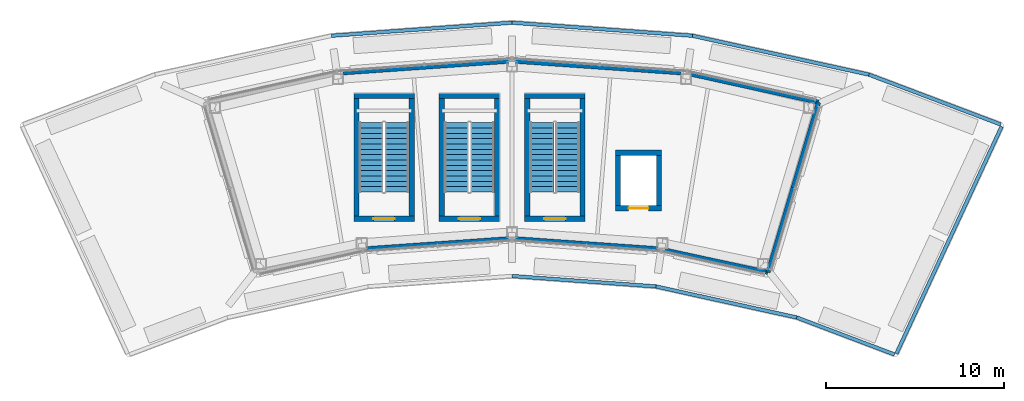
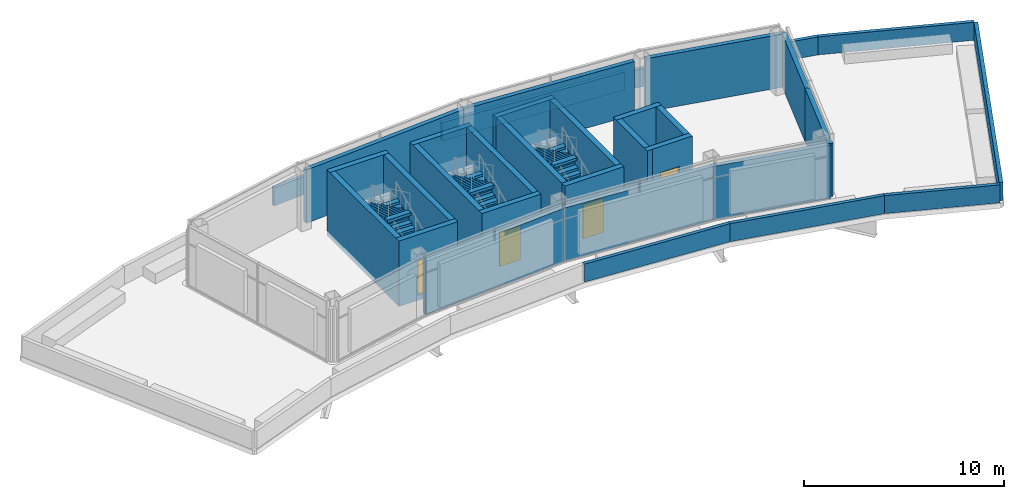
# One storey, part 5 of 7: 32 walls, 6 stair flights, 4 doors, 4 openings, 3 elements without a shape of their own.
"""IFC4 building model written with IfcOpenShell, lengths in metres."""

from ifc_helpers import new_model, si_unit, direction, frame, frame_2d, origin, place, context, subcontext, project, spatial, polyline, rectangle, outline, extrude, material, layer, layer_set, type_object, element, fill, aggregate, save


model = new_model("IFC4")

# Units and contexts
model_context = context("Model", 3, precision=1e-05, world=origin(), true_north=direction((0.0, 1.0)))
body_context = subcontext(model_context, "Body", "Model", "MODEL_VIEW")
ifc_project = project(units=[si_unit("LENGTHUNIT", "METRE"), si_unit("AREAUNIT", "SQUARE_METRE"), si_unit("VOLUMEUNIT", "CUBIC_METRE"), si_unit("PLANEANGLEUNIT", "RADIAN"), si_unit("MASSUNIT", "GRAM", prefix="KILO")], contexts=[model_context])

# Site, building, storey
site_placement = place(None, origin())
site = spatial("IfcSite", under=ifc_project, at=site_placement, CompositionType="ELEMENT")
building_placement = place(site_placement, origin())
building = spatial("IfcBuilding", under=site, at=building_placement, Name="Tuul Gate Civic Tower", CompositionType="ELEMENT")
storey_placement = place(building_placement, frame((0.0, 0.0, 376.10009765625)))
storey = spatial("IfcBuildingStorey", under=building, at=storey_placement, Name="Crown tier 3 lower", CompositionType="ELEMENT", Elevation=376.10009765625)

# Walls
ifc_material_1 = material(Name="Concrete C50/60", Category="concrete")
ifc_layer_1 = layer(ifc_material_1, 0.300048828125)
ifc_layer_set_1 = layer_set([ifc_layer_1], Name="Concrete C50/60")
wall_type_1 = type_object("IfcWallType", Name="Core wall C50/60", PredefinedType="SHEAR", material=ifc_layer_set_1)
for number, where, z_axis, x_axis, name in (
    (1, (-3.449951171875, -0.89990234375, -0.300048828125), (0.0, 0.0, 1.0), (0.0, 1.0, 0.0), "Core wall"),
    (2, (-6.550048828125, 6.300048828125, -0.300048828125), (0.0, 0.0, 1.0), (0.0, -1.0, 0.0), "Core wall"),
):
    element("IfcWall", number, at=place(storey_placement, frame(where, z_axis=z_axis, x_axis=x_axis)), inside=storey, type_object=wall_type_1, Name=name, PredefinedType="SHEAR", context=body_context, shape_type="SweptSolid", body=[
        extrude(rectangle(XDim=7.199951171875, YDim=0.300048828125, at=frame_2d((3.60009765625, 0.0))), origin(), (0.0, 0.0, 1.0), 4.0),
    ])
wall_1_placement = place(storey_placement, frame((-3.300048828125, 6.14990234375, -0.300048828125), z_axis=(0.0, 0.0, 1.0), x_axis=(-1.0, 0.0, 0.0)))
element("IfcWall", 3, at=wall_1_placement, inside=storey, type_object=wall_type_1, Name="Core wall", PredefinedType="SHEAR", context=body_context, shape_type="SweptSolid", body=[
    extrude(rectangle(XDim=3.39990234375, YDim=0.300048828125, at=frame_2d((1.699951171875, 0.0))), origin(), (0.0, 0.0, 1.0), 4.0),
])

# Wall, opening, door
wall_2_placement = place(storey_placement, frame((-3.300048828125, -0.75, -0.300048828125), z_axis=(0.0, 0.0, 1.0), x_axis=(-1.0, 0.0, 0.0)))
wall_2 = element("IfcWall", 4, at=wall_2_placement, inside=storey, type_object=wall_type_1, Name="Core wall", PredefinedType="SHEAR", context=body_context, shape_type="SweptSolid", body=[
    extrude(rectangle(XDim=3.39990234375, YDim=0.300048828125, at=frame_2d((1.699951171875, 0.0))), origin(), (0.0, 0.0, 1.0), 4.0),
])
opening_1_placement = place(wall_2_placement, frame((1.10009765625, 0.0, 0.300048828125)))
opening_1 = element("IfcOpeningElement", 5, at=opening_1_placement, cuts=wall_2, Name="Opening SD-ST-5", PredefinedType="OPENING", context=body_context, shape_type="SweptSolid", body=[
    extrude(rectangle(XDim=1.199951171875, YDim=2.10009765625, at=frame_2d((0.60009765625, 1.050048828125))), frame((0.0, 0.16015625, 0.0), z_axis=(0.0, -1.0, 0.0), x_axis=(1.0, 0.0, 0.0)), (0.0, 0.0, 1.0), 0.320068359375),
])
ifc_material_2 = material(Name="Steel", Category="steel")
door_type_1 = type_object("IfcDoorType", Name="Stair door", OperationType="NOTDEFINED", PredefinedType="DOOR", material=ifc_material_2)
door_1_placement = place(opening_1_placement, origin())
door_1 = element("IfcDoor", 6, at=door_1_placement, inside=storey, type_object=door_type_1, Name="Stair door ST-5", OperationType="SINGLE_SWING_LEFT", OverallHeight=2.10009765625, OverallWidth=1.199951171875, PredefinedType="DOOR", context=body_context, shape_type="SweptSolid", body=[
    extrude(rectangle(XDim=1.199951171875, YDim=2.10009765625, at=frame_2d((0.60009765625, 1.050048828125))), frame((0.0, 0.02490234375, 0.0), z_axis=(0.0, -1.0, 0.0), x_axis=(1.0, 0.0, 0.0)), (0.0, 0.0, 1.0), 0.050048828125),
])
fill(opening_1, door_1)

# Walls
for number, where, z_axis, x_axis, name in (
    (7, (1.35009765625, -0.89990234375, -0.300048828125), (0.0, 0.0, 1.0), (0.0, 1.0, 0.0), "Core wall"),
    (8, (-1.75, 6.300048828125, -0.300048828125), (0.0, 0.0, 1.0), (0.0, -1.0, 0.0), "Core wall"),
):
    element("IfcWall", number, at=place(storey_placement, frame(where, z_axis=z_axis, x_axis=x_axis)), inside=storey, type_object=wall_type_1, Name=name, PredefinedType="SHEAR", context=body_context, shape_type="SweptSolid", body=[
        extrude(rectangle(XDim=7.199951171875, YDim=0.300048828125, at=frame_2d((3.60009765625, 0.0))), origin(), (0.0, 0.0, 1.0), 4.0),
    ])
wall_3_placement = place(storey_placement, frame((1.5, 6.14990234375, -0.300048828125), z_axis=(0.0, 0.0, 1.0), x_axis=(-1.0, 0.0, 0.0)))
element("IfcWall", 9, at=wall_3_placement, inside=storey, type_object=wall_type_1, Name="Core wall", PredefinedType="SHEAR", context=body_context, shape_type="SweptSolid", body=[
    extrude(rectangle(XDim=3.39990234375, YDim=0.300048828125, at=frame_2d((1.699951171875, 0.0))), origin(), (0.0, 0.0, 1.0), 4.0),
])

# Wall, opening, door
wall_4_placement = place(storey_placement, frame((1.5, -0.75, -0.300048828125), z_axis=(0.0, 0.0, 1.0), x_axis=(-1.0, 0.0, 0.0)))
wall_4 = element("IfcWall", 10, at=wall_4_placement, inside=storey, type_object=wall_type_1, Name="Core wall", PredefinedType="SHEAR", context=body_context, shape_type="SweptSolid", body=[
    extrude(rectangle(XDim=3.39990234375, YDim=0.300048828125, at=frame_2d((1.699951171875, 0.0))), origin(), (0.0, 0.0, 1.0), 4.0),
])
opening_2_placement = place(wall_4_placement, frame((1.10009765625, 0.0, 0.300048828125)))
opening_2 = element("IfcOpeningElement", 11, at=opening_2_placement, cuts=wall_4, Name="Opening SD-ST-6", PredefinedType="OPENING", context=body_context, shape_type="SweptSolid", body=[
    extrude(rectangle(XDim=1.199951171875, YDim=2.10009765625, at=frame_2d((0.60009765625, 1.050048828125))), frame((0.0, 0.16015625, 0.0), z_axis=(0.0, -1.0, 0.0), x_axis=(1.0, 0.0, 0.0)), (0.0, 0.0, 1.0), 0.320068359375),
])
door_2_placement = place(opening_2_placement, frame((1.199951171875, 0.0, 0.0), z_axis=(0.0, 0.0, 1.0), x_axis=(-1.0, 0.0, 0.0)))
door_2 = element("IfcDoor", 12, at=door_2_placement, inside=storey, type_object=door_type_1, Name="Stair door ST-6", OperationType="SINGLE_SWING_RIGHT", OverallHeight=2.10009765625, OverallWidth=1.199951171875, PredefinedType="DOOR", context=body_context, shape_type="SweptSolid", body=[
    extrude(rectangle(XDim=1.199951171875, YDim=2.10009765625, at=frame_2d((0.599853515625, 1.050048828125))), frame((0.0, 0.02490234375, 0.0), z_axis=(0.0, -1.0, 0.0), x_axis=(1.0, 0.0, 0.0)), (0.0, 0.0, 1.0), 0.050048828125),
])
fill(opening_2, door_2)

# Walls
for number, where, z_axis, x_axis, name in (
    (13, (6.14990234375, -0.89990234375, -0.300048828125), (0.0, 0.0, 1.0), (0.0, 1.0, 0.0), "Core wall"),
    (14, (3.050048828125, 6.300048828125, -0.300048828125), (0.0, 0.0, 1.0), (0.0, -1.0, 0.0), "Core wall"),
):
    element("IfcWall", number, at=place(storey_placement, frame(where, z_axis=z_axis, x_axis=x_axis)), inside=storey, type_object=wall_type_1, Name=name, PredefinedType="SHEAR", context=body_context, shape_type="SweptSolid", body=[
        extrude(rectangle(XDim=7.199951171875, YDim=0.300048828125, at=frame_2d((3.60009765625, 0.0))), origin(), (0.0, 0.0, 1.0), 4.0),
    ])
wall_5_placement = place(storey_placement, frame((6.300048828125, 6.14990234375, -0.300048828125), z_axis=(0.0, 0.0, 1.0), x_axis=(-1.0, 0.0, 0.0)))
element("IfcWall", 15, at=wall_5_placement, inside=storey, type_object=wall_type_1, Name="Core wall", PredefinedType="SHEAR", context=body_context, shape_type="SweptSolid", body=[
    extrude(rectangle(XDim=3.400146484375, YDim=0.300048828125, at=frame_2d((1.7001953125, 0.0))), origin(), (0.0, 0.0, 1.0), 4.0),
])

# Wall, opening, door
wall_6_placement = place(storey_placement, frame((6.300048828125, -0.75, -0.300048828125), z_axis=(0.0, 0.0, 1.0), x_axis=(-1.0, 0.0, 0.0)))
wall_6 = element("IfcWall", 16, at=wall_6_placement, inside=storey, type_object=wall_type_1, Name="Core wall", PredefinedType="SHEAR", context=body_context, shape_type="SweptSolid", body=[
    extrude(rectangle(XDim=3.400146484375, YDim=0.300048828125, at=frame_2d((1.7001953125, 0.0))), origin(), (0.0, 0.0, 1.0), 4.0),
])
opening_3_placement = place(wall_6_placement, frame((1.10009765625, 0.0, 0.300048828125)))
opening_3 = element("IfcOpeningElement", 17, at=opening_3_placement, cuts=wall_6, Name="Opening SD-ST-7", PredefinedType="OPENING", context=body_context, shape_type="SweptSolid", body=[
    extrude(rectangle(XDim=1.199951171875, YDim=2.10009765625, at=frame_2d((0.60009765625, 1.050048828125))), frame((0.0, 0.16015625, 0.0), z_axis=(0.0, -1.0, 0.0), x_axis=(1.0, 0.0, 0.0)), (0.0, 0.0, 1.0), 0.320068359375),
])
door_3_placement = place(opening_3_placement, frame((1.199951171875, 0.0, 0.0), z_axis=(0.0, 0.0, 1.0), x_axis=(-1.0, 0.0, 0.0)))
door_3 = element("IfcDoor", 18, at=door_3_placement, inside=storey, type_object=door_type_1, Name="Stair door ST-7", OperationType="SINGLE_SWING_RIGHT", OverallHeight=2.10009765625, OverallWidth=1.199951171875, PredefinedType="DOOR", context=body_context, shape_type="SweptSolid", body=[
    extrude(rectangle(XDim=1.199951171875, YDim=2.10009765625, at=frame_2d((0.599853515625, 1.050048828125))), frame((0.0, 0.02490234375, 0.0), z_axis=(0.0, -1.0, 0.0), x_axis=(1.0, 0.0, 0.0)), (0.0, 0.0, 1.0), 0.050048828125),
])
fill(opening_3, door_3)

# Walls
for number, where, z_axis, x_axis, name in (
    (19, (10.449951171875, -0.300048828125, 0.0), (0.0, 0.0, 1.0), (0.0, 1.0, 0.0), "Core wall"),
    (20, (8.14990234375, 3.10009765625, 0.0), (0.0, 0.0, 1.0), (0.0, -1.0, 0.0), "Core wall"),
):
    element("IfcWall", number, at=place(storey_placement, frame(where, z_axis=z_axis, x_axis=x_axis)), inside=storey, type_object=wall_type_1, Name=name, PredefinedType="SHEAR", context=body_context, shape_type="SweptSolid", body=[
        extrude(rectangle(XDim=3.400146484375, YDim=0.300048828125, at=frame_2d((1.7001953125, 0.0))), origin(), (0.0, 0.0, 1.0), 3.699951171875),
    ])
wall_7_placement = place(storey_placement, frame((10.60009765625, 2.949951171875, 0.0), z_axis=(0.0, 0.0, 1.0), x_axis=(-1.0, 0.0, 0.0)))
element("IfcWall", 21, at=wall_7_placement, inside=storey, type_object=wall_type_1, Name="Core wall", PredefinedType="SHEAR", context=body_context, shape_type="SweptSolid", body=[
    extrude(rectangle(XDim=2.60009765625, YDim=0.300048828125, at=frame_2d((1.300048828125, 0.0))), origin(), (0.0, 0.0, 1.0), 3.699951171875),
])

# Wall, opening, door
wall_8_placement = place(storey_placement, frame((10.60009765625, -0.14990234375, 0.0), z_axis=(0.0, 0.0, 1.0), x_axis=(-1.0, 0.0, 0.0)))
wall_8 = element("IfcWall", 22, at=wall_8_placement, inside=storey, type_object=wall_type_1, Name="Core wall", PredefinedType="SHEAR", context=body_context, shape_type="SweptSolid", body=[
    extrude(rectangle(XDim=2.60009765625, YDim=0.300048828125, at=frame_2d((1.300048828125, 0.0))), origin(), (0.0, 0.0, 1.0), 3.699951171875),
])
opening_4_placement = place(wall_8_placement, frame((0.75, 0.0, 0.0)))
opening_4 = element("IfcOpeningElement", 23, at=opening_4_placement, cuts=wall_8, Name="Opening LD-X4", PredefinedType="OPENING", context=body_context, shape_type="SweptSolid", body=[
    extrude(rectangle(XDim=1.10009765625, YDim=2.10009765625, at=frame_2d((0.550048828125, 1.050048828125))), frame((0.0, 0.16015625, 0.0), z_axis=(0.0, -1.0, 0.0), x_axis=(1.0, 0.0, 0.0)), (0.0, 0.0, 1.0), 0.320068359375),
])
ifc_material_3 = material(Name="Stainless steel", Category="steel")
door_type_2 = type_object("IfcDoorType", Name="Landing door", OperationType="DOUBLE_DOOR_SLIDING", PredefinedType="DOOR", material=ifc_material_3)
door_4_placement = place(opening_4_placement, origin())
door_4 = element("IfcDoor", 24, at=door_4_placement, inside=storey, type_object=door_type_2, Name="Crown lift X4 landing door", OperationType="DOUBLE_DOOR_SLIDING", OverallHeight=2.10009765625, OverallWidth=1.10009765625, PredefinedType="DOOR", context=body_context, shape_type="SweptSolid", body=[
    extrude(rectangle(XDim=1.10009765625, YDim=2.10009765625, at=frame_2d((0.550048828125, 1.050048828125))), frame((0.0, 0.02490234375, 0.0), z_axis=(0.0, -1.0, 0.0), x_axis=(1.0, 0.0, 0.0)), (0.0, 0.0, 1.0), 0.050048828125),
])
fill(opening_4, door_4)

# Walls
ifc_material_4 = material(Name="Concrete C40/50", Category="concrete")
ifc_layer_2 = layer(ifc_material_4, 0.199951171875)
ifc_layer_set_2 = layer_set([ifc_layer_2], Name="Concrete C40/50")
wall_type_2 = type_object("IfcWallType", Name="Crown parapet", PredefinedType="PARAPET", material=ifc_layer_set_2)
wall_9_placement = place(storey_placement, frame((23.79052734375, -8.333740234375, 0.0), z_axis=(0.0, 0.0, 1.0), x_axis=(0.420408048291, 0.907335149177, 0.0)))
element("IfcWall", 25, at=wall_9_placement, inside=storey, type_object=wall_type_2, Name="Parapet", PredefinedType="PARAPET", context=body_context, shape_type="SweptSolid", body=[
    extrude(rectangle(XDim=14.068115234375, YDim=0.199951171875, at=frame_2d((7.0341796875, 0.0))), origin(), (0.0, 0.0, 1.0), 1.099853515625),
])
wall_10_placement = place(storey_placement, frame((29.657958984375, 4.546875, 0.0), z_axis=(0.0, 0.0, 1.0), x_axis=(-0.935359897125, 0.353697417083, 0.0)))
element("IfcWall", 26, at=wall_10_placement, inside=storey, type_object=wall_type_2, Name="Parapet", PredefinedType="PARAPET", context=body_context, shape_type="SweptSolid", body=[
    extrude(rectangle(XDim=7.91650390625, YDim=0.199951171875, at=frame_2d((3.958251953125, 0.0))), origin(), (0.0, 0.0, 1.0), 1.099853515625),
])
for number, where, z_axis, x_axis, name in (
    (27, (22.253173828125, 7.346923828125, 0.0), (0.0, 0.0, 1.0), (-0.976565963913, 0.215218303422, 0.0), "Parapet"),
    (28, (12.328369140625, 9.5341796875, 0.0), (0.0, 0.0, 1.0), (-0.997385875022, 0.072259368291, 0.0), "Parapet"),
):
    element("IfcWall", number, at=place(storey_placement, frame(where, z_axis=z_axis, x_axis=x_axis)), inside=storey, type_object=wall_type_2, Name=name, PredefinedType="PARAPET", context=body_context, shape_type="SweptSolid", body=[
        extrude(rectangle(XDim=10.1630859375, YDim=0.199951171875, at=frame_2d((5.08154296875, 0.0))), origin(), (0.0, 0.0, 1.0), 1.099853515625),
    ])
wall_11_placement = place(storey_placement, frame((2.19189453125, 10.2685546875, 0.0), z_axis=(0.0, 0.0, 1.0), x_axis=(-0.997385749587, -0.072261099638, 0.0)))
element("IfcWall", 29, at=wall_11_placement, inside=storey, type_object=wall_type_2, Name="Parapet", PredefinedType="PARAPET", context=body_context, shape_type="SweptSolid", body=[
    extrude(rectangle(XDim=10.162841796875, YDim=0.199951171875, at=frame_2d((5.08154296875, 0.0))), origin(), (0.0, 0.0, 1.0), 1.099853515625),
])
wall_12_placement = place(storey_placement, frame((2.19189453125, -3.968505859375, 0.0), z_axis=(0.0, 0.0, 1.0), x_axis=(0.997386180286, -0.072255154658, 0.0)))
element("IfcWall", 30, at=wall_12_placement, inside=storey, type_object=wall_type_2, Name="Parapet", PredefinedType="PARAPET", context=body_context, shape_type="SweptSolid", body=[
    extrude(rectangle(XDim=8.10595703125, YDim=0.199951171875, at=frame_2d((4.052978515625, 0.0))), origin(), (0.0, 0.0, 1.0), 1.099853515625),
])
wall_13_placement = place(storey_placement, frame((10.276611328125, -4.55419921875, 0.0), z_axis=(0.0, 0.0, 1.0), x_axis=(0.976565400701, -0.21522085901, 0.0)))
element("IfcWall", 31, at=wall_13_placement, inside=storey, type_object=wall_type_2, Name="Parapet", PredefinedType="PARAPET", context=body_context, shape_type="SweptSolid", body=[
    extrude(rectangle(XDim=8.106201171875, YDim=0.199951171875, at=frame_2d((4.05322265625, 0.0))), origin(), (0.0, 0.0, 1.0), 1.099853515625),
])
wall_14_placement = place(storey_placement, frame((18.19287109375, -6.298828125, 0.0), z_axis=(0.0, 0.0, 1.0), x_axis=(0.935320836951, -0.353800695257, 0.0)))
element("IfcWall", 32, at=wall_14_placement, inside=storey, type_object=wall_type_2, Name="Parapet", PredefinedType="PARAPET", context=body_context, shape_type="SweptSolid", body=[
    extrude(rectangle(XDim=5.873046875, YDim=0.199951171875, at=frame_2d((2.9365234375, 0.0))), origin(), (0.0, 0.0, 1.0), 1.099853515625),
])
ifc_material_5 = material(Name="Precast concrete C40/50", Category="concrete")
ifc_layer_3 = layer(ifc_material_5, 0.25)
ifc_layer_set_3 = layer_set([ifc_layer_3], Name="Precast concrete C40/50")
wall_type_3 = type_object("IfcWallType", Name="External wall", PredefinedType="STANDARD", material=ifc_layer_set_3)
wall_15_placement = place(storey_placement, frame((19.417724609375, 5.79541015625, 0.0), z_axis=(0.0, 0.0, 1.0), x_axis=(-0.976550095753, 0.215290293523, 0.0)))
element("IfcWall", 33, at=wall_15_placement, inside=storey, type_object=wall_type_3, Name="External wall", PredefinedType="STANDARD", context=body_context, shape_type="SweptSolid", body=[
    extrude(rectangle(XDim=7.314453125, YDim=0.25, at=frame_2d((3.6572265625, 0.0))), origin(), (0.0, 0.0, 1.0), 3.25),
])
wall_16_placement = place(storey_placement, frame((11.678466796875, 7.450927734375, 0.0), z_axis=(0.0, 0.0, 1.0), x_axis=(-0.997557160611, 0.069854930489, 0.0)))
element("IfcWall", 34, at=wall_16_placement, inside=storey, type_object=wall_type_3, Name="External wall", PredefinedType="STANDARD", context=body_context, shape_type="SweptSolid", body=[
    extrude(rectangle(XDim=9.509765625, YDim=0.25, at=frame_2d((4.7548828125, 0.0))), origin(), (0.0, 0.0, 1.0), 3.25),
])
wall_17_placement = place(storey_placement, frame((2.19189453125, 8.115234375, 0.0), z_axis=(0.0, 0.0, 1.0), x_axis=(-0.997557035332, -0.069856719506, 0.0)))
element("IfcWall", 35, at=wall_17_placement, inside=storey, type_object=wall_type_3, Name="External wall", PredefinedType="STANDARD", context=body_context, shape_type="SweptSolid", body=[
    extrude(rectangle(XDim=9.509521484375, YDim=0.25, at=frame_2d((4.7548828125, 0.0))), origin(), (0.0, 0.0, 1.0), 3.25),
])
wall_18_placement = place(storey_placement, frame((-6.102783203125, -2.44384765625, 0.0), z_axis=(0.0, 0.0, 1.0), x_axis=(0.997532820856, 0.070201647525, 0.0)))
element("IfcWall", 36, at=wall_18_placement, inside=storey, type_object=wall_type_3, Name="External wall", PredefinedType="STANDARD", context=body_context, shape_type="SweptSolid", body=[
    extrude(rectangle(XDim=8.315185546875, YDim=0.25, at=frame_2d((4.15771484375, 0.0))), origin(), (0.0, 0.0, 1.0), 3.25),
])
wall_19_placement = place(storey_placement, frame((2.19189453125, -1.860107421875, 0.0), z_axis=(0.0, 0.0, 1.0), x_axis=(0.997532965547, -0.070199591495, 0.0)))
element("IfcWall", 37, at=wall_19_placement, inside=storey, type_object=wall_type_3, Name="External wall", PredefinedType="STANDARD", context=body_context, shape_type="SweptSolid", body=[
    extrude(rectangle(XDim=8.3154296875, YDim=0.25, at=frame_2d((4.15771484375, 0.0))), origin(), (0.0, 0.0, 1.0), 3.25),
])
wall_20_placement = place(storey_placement, frame((10.48681640625, -2.44384765625, 0.0), z_axis=(0.0, 0.0, 1.0), x_axis=(0.977211729249, -0.212266898547, 0.0)))
element("IfcWall", 38, at=wall_20_placement, inside=storey, type_object=wall_type_3, Name="External wall", PredefinedType="STANDARD", context=body_context, shape_type="SweptSolid", body=[
    extrude(rectangle(XDim=6.22802734375, YDim=0.25, at=frame_2d((3.114013671875, 0.0))), origin(), (0.0, 0.0, 1.0), 3.25),
])
wall_21_placement = place(storey_placement, frame((16.572998046875, -3.765869140625, 0.0), z_axis=(0.0, 0.0, 1.0), x_axis=(0.285159141508, 0.958480184466, 0.0)))
element("IfcWall", 39, at=wall_21_placement, inside=storey, type_object=wall_type_3, Name="External wall", PredefinedType="STANDARD", context=body_context, shape_type="SweptSolid", body=[
    extrude(rectangle(XDim=4.97509765625, YDim=0.25, at=frame_2d((2.487548828125, 0.0))), origin(), (0.0, 0.0, 1.0), 3.25),
])
wall_22_placement = place(storey_placement, frame((17.99169921875, 1.002685546875, 0.0), z_axis=(0.0, 0.0, 1.0), x_axis=(0.285183646832, 0.958472893503, 0.0)))
element("IfcWall", 40, at=wall_22_placement, inside=storey, type_object=wall_type_3, Name="External wall", PredefinedType="STANDARD", context=body_context, shape_type="SweptSolid", body=[
    extrude(rectangle(XDim=5.00048828125, YDim=0.25, at=frame_2d((2.500244140625, 0.0))), origin(), (0.0, 0.0, 1.0), 3.25),
])

# Stair, stair flights
ifc_material_6 = material(Name="Concrete C40/50", Category="concrete")
stair_type = type_object("IfcStairType", Name="Exit stair", PredefinedType="HALF_TURN_STAIR", material=ifc_material_6)
stair_1_placement = place(storey_placement, origin())
stair_1 = element("IfcStair", 41, at=stair_1_placement, inside=storey, type_object=stair_type, Name="Crown tier 3 lower ST-5", PredefinedType="HALF_TURN_STAIR")
ifc_material_7 = material(Name="Concrete C40/50", Category="concrete")
stair_flight_type = type_object("IfcStairFlightType", Name="Exit stair flight", PredefinedType="STRAIGHT", material=ifc_material_7)
stair_flight_1_placement = place(storey_placement, frame((-4.27490234375, 0.75, 0.0), z_axis=(0.0, 0.0, 1.0), x_axis=(0.0, 1.0, 0.0)))
stair_flight_1 = element("IfcStairFlight", 42, at=stair_flight_1_placement, type_object=stair_flight_type, Name="ST-5 flight 1", NumberOfRisers=14, NumberOfTreads=13, PredefinedType="STRAIGHT", RiserHeight=0.142857143, TreadLength=0.3, context=body_context, shape_type="SweptSolid", body=[
    extrude(outline(polyline([(0.0, 0.0), (0.0, 0.142822265625), (0.300048828125, 0.142822265625), (0.300048828125, 0.28564453125), (0.60009765625, 0.28564453125), (0.60009765625, 0.428466796875), (0.89990234375, 0.428466796875), (0.89990234375, 0.571533203125), (1.199951171875, 0.571533203125), (1.199951171875, 0.71435546875), (1.5, 0.71435546875), (1.5, 0.857177734375), (1.800048828125, 0.857177734375), (1.800048828125, 1.0), (2.10009765625, 1.0), (2.10009765625, 1.142822265625), (2.39990234375, 1.142822265625), (2.39990234375, 1.28564453125), (2.699951171875, 1.28564453125), (2.699951171875, 1.428466796875), (3.0, 1.428466796875), (3.0, 1.571533203125), (3.300048828125, 1.571533203125), (3.300048828125, 1.71435546875), (3.60009765625, 1.71435546875), (3.60009765625, 1.857177734375), (3.89990234375, 1.857177734375), (3.89990234375, 2.0), (3.89990234375, 1.691162109375), (0.3486328125, 0.0), (0.0, 0.0)])), frame((0.0, 0.675048828125, 0.0), z_axis=(0.0, -1.0, 0.0), x_axis=(1.0, 0.0, 0.0)), (0.0, 0.0, 1.0), 1.35009765625),
])
stair_flight_2_placement = place(storey_placement, frame((-5.72509765625, 4.64990234375, 2.0), z_axis=(0.0, 0.0, 1.0), x_axis=(0.0, -1.0, 0.0)))
stair_flight_2 = element("IfcStairFlight", 43, at=stair_flight_2_placement, type_object=stair_flight_type, Name="ST-5 flight 2", NumberOfRisers=14, NumberOfTreads=13, PredefinedType="STRAIGHT", RiserHeight=0.142857143, TreadLength=0.3, context=body_context, shape_type="SweptSolid", body=[
    extrude(outline(polyline([(0.0, 0.0), (0.0, 0.142822265625), (0.300048828125, 0.142822265625), (0.300048828125, 0.28564453125), (0.60009765625, 0.28564453125), (0.60009765625, 0.428466796875), (0.89990234375, 0.428466796875), (0.89990234375, 0.571533203125), (1.199951171875, 0.571533203125), (1.199951171875, 0.71435546875), (1.5, 0.71435546875), (1.5, 0.857177734375), (1.800048828125, 0.857177734375), (1.800048828125, 1.0), (2.10009765625, 1.0), (2.10009765625, 1.142822265625), (2.39990234375, 1.142822265625), (2.39990234375, 1.28564453125), (2.699951171875, 1.28564453125), (2.699951171875, 1.428466796875), (3.0, 1.428466796875), (3.0, 1.571533203125), (3.300048828125, 1.571533203125), (3.300048828125, 1.71435546875), (3.60009765625, 1.71435546875), (3.60009765625, 1.857177734375), (3.89990234375, 1.857177734375), (3.89990234375, 2.0), (3.89990234375, 1.691162109375), (0.3486328125, 0.0), (0.0, 0.0)])), frame((0.0, 0.675048828125, 0.0), z_axis=(0.0, -1.0, 0.0), x_axis=(1.0, 0.0, 0.0)), (0.0, 0.0, 1.0), 1.35009765625),
])
aggregate(stair_1, [stair_flight_1, stair_flight_2])

stair_2_placement = place(storey_placement, origin())
stair_2 = element("IfcStair", 44, at=stair_2_placement, inside=storey, type_object=stair_type, Name="Crown tier 3 lower ST-6", PredefinedType="HALF_TURN_STAIR")
stair_flight_3_placement = place(storey_placement, frame((0.52490234375, 0.75, 0.0), z_axis=(0.0, 0.0, 1.0), x_axis=(0.0, 1.0, 0.0)))
stair_flight_3 = element("IfcStairFlight", 45, at=stair_flight_3_placement, type_object=stair_flight_type, Name="ST-6 flight 1", NumberOfRisers=14, NumberOfTreads=13, PredefinedType="STRAIGHT", RiserHeight=0.142857143, TreadLength=0.3, context=body_context, shape_type="SweptSolid", body=[
    extrude(outline(polyline([(0.0, 0.0), (0.0, 0.142822265625), (0.300048828125, 0.142822265625), (0.300048828125, 0.28564453125), (0.60009765625, 0.28564453125), (0.60009765625, 0.428466796875), (0.89990234375, 0.428466796875), (0.89990234375, 0.571533203125), (1.199951171875, 0.571533203125), (1.199951171875, 0.71435546875), (1.5, 0.71435546875), (1.5, 0.857177734375), (1.800048828125, 0.857177734375), (1.800048828125, 1.0), (2.10009765625, 1.0), (2.10009765625, 1.142822265625), (2.39990234375, 1.142822265625), (2.39990234375, 1.28564453125), (2.699951171875, 1.28564453125), (2.699951171875, 1.428466796875), (3.0, 1.428466796875), (3.0, 1.571533203125), (3.300048828125, 1.571533203125), (3.300048828125, 1.71435546875), (3.60009765625, 1.71435546875), (3.60009765625, 1.857177734375), (3.89990234375, 1.857177734375), (3.89990234375, 2.0), (3.89990234375, 1.691162109375), (0.3486328125, 0.0), (0.0, 0.0)])), frame((0.0, 0.675048828125, 0.0), z_axis=(0.0, -1.0, 0.0), x_axis=(1.0, 0.0, 0.0)), (0.0, 0.0, 1.0), 1.35009765625),
])
stair_flight_4_placement = place(storey_placement, frame((-0.925048828125, 4.64990234375, 2.0), z_axis=(0.0, 0.0, 1.0), x_axis=(0.0, -1.0, 0.0)))
stair_flight_4 = element("IfcStairFlight", 46, at=stair_flight_4_placement, type_object=stair_flight_type, Name="ST-6 flight 2", NumberOfRisers=14, NumberOfTreads=13, PredefinedType="STRAIGHT", RiserHeight=0.142857143, TreadLength=0.3, context=body_context, shape_type="SweptSolid", body=[
    extrude(outline(polyline([(0.0, 0.0), (0.0, 0.142822265625), (0.300048828125, 0.142822265625), (0.300048828125, 0.28564453125), (0.60009765625, 0.28564453125), (0.60009765625, 0.428466796875), (0.89990234375, 0.428466796875), (0.89990234375, 0.571533203125), (1.199951171875, 0.571533203125), (1.199951171875, 0.71435546875), (1.5, 0.71435546875), (1.5, 0.857177734375), (1.800048828125, 0.857177734375), (1.800048828125, 1.0), (2.10009765625, 1.0), (2.10009765625, 1.142822265625), (2.39990234375, 1.142822265625), (2.39990234375, 1.28564453125), (2.699951171875, 1.28564453125), (2.699951171875, 1.428466796875), (3.0, 1.428466796875), (3.0, 1.571533203125), (3.300048828125, 1.571533203125), (3.300048828125, 1.71435546875), (3.60009765625, 1.71435546875), (3.60009765625, 1.857177734375), (3.89990234375, 1.857177734375), (3.89990234375, 2.0), (3.89990234375, 1.691162109375), (0.3486328125, 0.0), (0.0, 0.0)])), frame((0.0, 0.675048828125, 0.0), z_axis=(0.0, -1.0, 0.0), x_axis=(1.0, 0.0, 0.0)), (0.0, 0.0, 1.0), 1.35009765625),
])
aggregate(stair_2, [stair_flight_3, stair_flight_4])

stair_3_placement = place(storey_placement, origin())
stair_3 = element("IfcStair", 47, at=stair_3_placement, inside=storey, type_object=stair_type, Name="Crown tier 3 lower ST-7", PredefinedType="HALF_TURN_STAIR")
stair_flight_5_placement = place(storey_placement, frame((5.324951171875, 0.75, 0.0), z_axis=(0.0, 0.0, 1.0), x_axis=(0.0, 1.0, 0.0)))
stair_flight_5 = element("IfcStairFlight", 48, at=stair_flight_5_placement, type_object=stair_flight_type, Name="ST-7 flight 1", NumberOfRisers=14, NumberOfTreads=13, PredefinedType="STRAIGHT", RiserHeight=0.142857143, TreadLength=0.3, context=body_context, shape_type="SweptSolid", body=[
    extrude(outline(polyline([(0.0, 0.0), (0.0, 0.142822265625), (0.300048828125, 0.142822265625), (0.300048828125, 0.28564453125), (0.60009765625, 0.28564453125), (0.60009765625, 0.428466796875), (0.89990234375, 0.428466796875), (0.89990234375, 0.571533203125), (1.199951171875, 0.571533203125), (1.199951171875, 0.71435546875), (1.5, 0.71435546875), (1.5, 0.857177734375), (1.800048828125, 0.857177734375), (1.800048828125, 1.0), (2.10009765625, 1.0), (2.10009765625, 1.142822265625), (2.39990234375, 1.142822265625), (2.39990234375, 1.28564453125), (2.699951171875, 1.28564453125), (2.699951171875, 1.428466796875), (3.0, 1.428466796875), (3.0, 1.571533203125), (3.300048828125, 1.571533203125), (3.300048828125, 1.71435546875), (3.60009765625, 1.71435546875), (3.60009765625, 1.857177734375), (3.89990234375, 1.857177734375), (3.89990234375, 2.0), (3.89990234375, 1.691162109375), (0.3486328125, 0.0), (0.0, 0.0)])), frame((0.0, 0.675048828125, 0.0), z_axis=(0.0, -1.0, 0.0), x_axis=(1.0, 0.0, 0.0)), (0.0, 0.0, 1.0), 1.35009765625),
])
stair_flight_6_placement = place(storey_placement, frame((3.875, 4.64990234375, 2.0), z_axis=(0.0, 0.0, 1.0), x_axis=(0.0, -1.0, 0.0)))
stair_flight_6 = element("IfcStairFlight", 49, at=stair_flight_6_placement, type_object=stair_flight_type, Name="ST-7 flight 2", NumberOfRisers=14, NumberOfTreads=13, PredefinedType="STRAIGHT", RiserHeight=0.142857143, TreadLength=0.3, context=body_context, shape_type="SweptSolid", body=[
    extrude(outline(polyline([(0.0, 0.0), (0.0, 0.142822265625), (0.300048828125, 0.142822265625), (0.300048828125, 0.28564453125), (0.60009765625, 0.28564453125), (0.60009765625, 0.428466796875), (0.89990234375, 0.428466796875), (0.89990234375, 0.571533203125), (1.199951171875, 0.571533203125), (1.199951171875, 0.71435546875), (1.5, 0.71435546875), (1.5, 0.857177734375), (1.800048828125, 0.857177734375), (1.800048828125, 1.0), (2.10009765625, 1.0), (2.10009765625, 1.142822265625), (2.39990234375, 1.142822265625), (2.39990234375, 1.28564453125), (2.699951171875, 1.28564453125), (2.699951171875, 1.428466796875), (3.0, 1.428466796875), (3.0, 1.571533203125), (3.300048828125, 1.571533203125), (3.300048828125, 1.71435546875), (3.60009765625, 1.71435546875), (3.60009765625, 1.857177734375), (3.89990234375, 1.857177734375), (3.89990234375, 2.0), (3.89990234375, 1.691162109375), (0.3486328125, 0.0), (0.0, 0.0)])), frame((0.0, 0.675048828125, 0.0), z_axis=(0.0, -1.0, 0.0), x_axis=(1.0, 0.0, 0.0)), (0.0, 0.0, 1.0), 1.35009765625),
])
aggregate(stair_3, [stair_flight_5, stair_flight_6])

save(model, "model.ifc")
